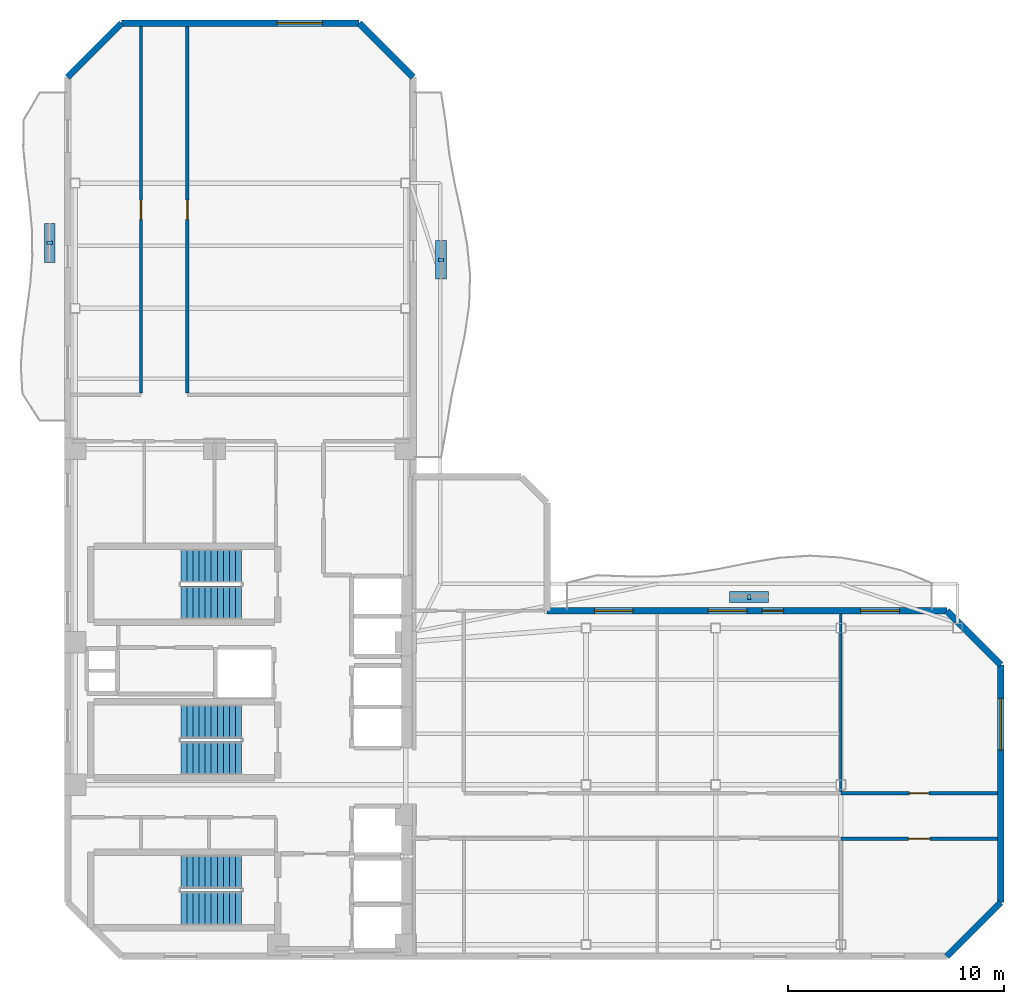
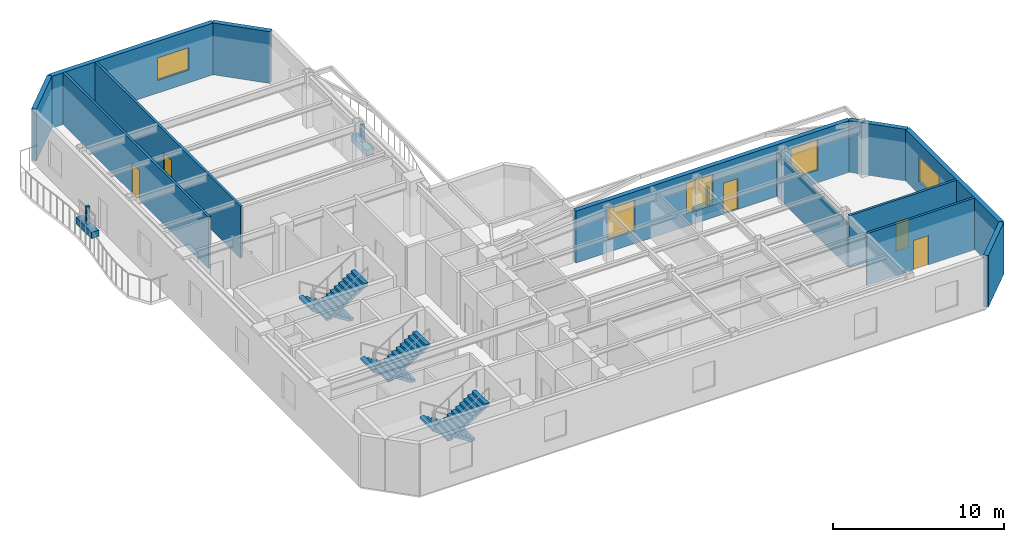
# One storey, part 5 of 8: 12 walls, 6 discrete accessories, 6 stair flights, 5 doors, 5 windows, 10 openings, 3 elements without a shape of their own.
"""IFC4 building model written with IfcOpenShell, lengths in metres."""

from ifc_helpers import new_model, si_unit, direction, frame, frame_2d, origin, origin_2d, place, context, subcontext, project, spatial, polyline, rectangle, outline, extrude, material, layer, layer_set, type_object, element, fill, aggregate, save


model = new_model("IFC4")

# Units and contexts
model_context = context("Model", 3, precision=1e-05, world=origin(), true_north=direction((0.0, 1.0)))
body_context = subcontext(model_context, "Body", "Model", "MODEL_VIEW")
ifc_project = project(units=[si_unit("LENGTHUNIT", "METRE"), si_unit("AREAUNIT", "SQUARE_METRE"), si_unit("VOLUMEUNIT", "CUBIC_METRE"), si_unit("PLANEANGLEUNIT", "RADIAN"), si_unit("MASSUNIT", "GRAM", prefix="KILO")], contexts=[model_context])

# Site, building, storey
site_placement = place(None, origin())
site = spatial("IfcSite", under=ifc_project, at=site_placement, CompositionType="ELEMENT")
building_placement = place(site_placement, origin())
building = spatial("IfcBuilding", under=site, at=building_placement, Name="Mawjaban Terraces University", CompositionType="ELEMENT")
storey_placement = place(building_placement, frame((0.0, 0.0, 218.699951171875)))
storey = spatial("IfcBuildingStorey", under=building, at=storey_placement, Name="L53", CompositionType="ELEMENT", Elevation=218.699951171875)

# Wall, opening, door
ifc_material_1 = material(Name="Fire-rated gypsum board on steel stud", Category="steel")
ifc_layer_1 = layer(ifc_material_1, 0.159912109375)
ifc_layer_set_1 = layer_set([ifc_layer_1], Name="Fire-rated gypsum board on steel stud")
wall_type_1 = type_object("IfcWallType", Name="CorridorPartition_160", PredefinedType="PARTITIONING", material=ifc_layer_set_1)
wall_1_placement = place(storey_placement, frame((57.800048828125, 5.449951171875, 0.0), z_axis=(0.0, 0.0, 1.0), x_axis=(1.0, 0.0, 0.0)))
wall_1 = element("IfcWall", 1, at=wall_1_placement, inside=storey, type_object=wall_type_1, Name="L53 South Shifted Academic Corridor Partition 21", PredefinedType="PARTITIONING", context=body_context, shape_type="SweptSolid", body=[
    extrude(rectangle(XDim=7.2548828125, YDim=0.159912109375, at=frame_2d((3.62744140625, 0.0))), origin(), (0.0, 0.0, 1.0), 3.68994140625),
])
opening_1_placement = place(wall_1_placement, frame((3.1279296875, 0.0, 0.0)))
opening_1 = element("IfcOpeningElement", 2, at=opening_1_placement, cuts=wall_1, Name="Opening ID-100", PredefinedType="OPENING", context=body_context, shape_type="SweptSolid", body=[
    extrude(rectangle(XDim=1.0, YDim=2.10009765625, at=frame_2d((0.5, 1.050048828125))), frame((0.0, 0.08984375, 0.0), z_axis=(0.0, -1.0, 0.0), x_axis=(1.0, 0.0, 0.0)), (0.0, 0.0, 1.0), 0.179931640625),
])
ifc_material_2 = material(Name="Powder-coated steel frame and solid acoustic timber leaf", Category="steel")
door_type_1 = type_object("IfcDoorType", Name="ClassroomDoor_1000x2100", OperationType="NOTDEFINED", PredefinedType="DOOR", material=ifc_material_2)
door_1_placement = place(opening_1_placement, origin())
door_1 = element("IfcDoor", 3, at=door_1_placement, inside=storey, type_object=door_type_1, Name="L53 Classroom 6 Door", OperationType="SINGLE_SWING_RIGHT", OverallHeight=2.10009765625, OverallWidth=1.0, PredefinedType="DOOR", context=body_context, shape_type="SweptSolid", body=[
    extrude(rectangle(XDim=1.0, YDim=2.10009765625, at=frame_2d((0.5, 1.050048828125))), frame((0.0, 0.02490234375, 0.0), z_axis=(0.0, -1.0, 0.0), x_axis=(1.0, 0.0, 0.0)), (0.0, 0.0, 1.0), 0.050048828125),
])
fill(opening_1, door_1)

wall_2_placement = place(storey_placement, frame((65.054931640625, 7.550048828125, 0.0), z_axis=(0.0, 0.0, 1.0), x_axis=(-1.0, 0.0, 0.0)))
wall_2 = element("IfcWall", 4, at=wall_2_placement, inside=storey, type_object=wall_type_1, Name="L53 South Shifted Academic Corridor Partition 23", PredefinedType="PARTITIONING", context=body_context, shape_type="SweptSolid", body=[
    extrude(rectangle(XDim=7.2548828125, YDim=0.159912109375, at=frame_2d((3.62744140625, 0.0))), origin(), (0.0, 0.0, 1.0), 3.68994140625),
])
opening_2_placement = place(wall_2_placement, frame((3.177978515625, 0.0, 0.0)))
opening_2 = element("IfcOpeningElement", 5, at=opening_2_placement, cuts=wall_2, Name="Opening ID-090", PredefinedType="OPENING", context=body_context, shape_type="SweptSolid", body=[
    extrude(rectangle(XDim=0.89990234375, YDim=2.10009765625, at=frame_2d((0.449951171875, 1.050048828125))), frame((0.0, 0.08984375, 0.0), z_axis=(0.0, -1.0, 0.0), x_axis=(1.0, 0.0, 0.0)), (0.0, 0.0, 1.0), 0.179931640625),
])
door_type_2 = type_object("IfcDoorType", Name="OfficeDoor_900x2100", OperationType="NOTDEFINED", PredefinedType="DOOR", material=ifc_material_2)
door_2_placement = place(opening_2_placement, origin())
door_2 = element("IfcDoor", 6, at=door_2_placement, inside=storey, type_object=door_type_2, Name="L53 Seminar Room 7 Door", OperationType="SINGLE_SWING_LEFT", OverallHeight=2.10009765625, OverallWidth=0.89990234375, PredefinedType="DOOR", context=body_context, shape_type="SweptSolid", body=[
    extrude(rectangle(XDim=0.89990234375, YDim=2.10009765625, at=frame_2d((0.449951171875, 1.050048828125))), frame((0.0, 0.02490234375, 0.0), z_axis=(0.0, -1.0, 0.0), x_axis=(1.0, 0.0, 0.0)), (0.0, 0.0, 1.0), 0.050048828125),
])
fill(opening_2, door_2)

wall_3_placement = place(storey_placement, frame((25.39990234375, 43.054931640625, 0.0), z_axis=(0.0, 0.0, 1.0), x_axis=(0.0, -1.0, 0.0)))
wall_3 = element("IfcWall", 7, at=wall_3_placement, inside=storey, type_object=wall_type_1, Name="L53 West Shifted Academic Corridor Partition 26", PredefinedType="PARTITIONING", context=body_context, shape_type="SweptSolid", body=[
    extrude(rectangle(XDim=16.97998046875, YDim=0.159912109375, at=frame_2d((8.489990234375, 0.0))), origin(), (0.0, 0.0, 1.0), 3.68994140625),
])
opening_3_placement = place(wall_3_placement, frame((8.0400390625, 0.0, 0.0)))
opening_3 = element("IfcOpeningElement", 8, at=opening_3_placement, cuts=wall_3, Name="Opening ID-090", PredefinedType="OPENING", context=body_context, shape_type="SweptSolid", body=[
    extrude(rectangle(XDim=0.89990234375, YDim=2.10009765625, at=frame_2d((0.449951171875, 1.050048828125))), frame((0.0, 0.08984375, 0.0), z_axis=(0.0, -1.0, 0.0), x_axis=(1.0, 0.0, 0.0)), (0.0, 0.0, 1.0), 0.179931640625),
])
door_3_placement = place(opening_3_placement, origin())
door_3 = element("IfcDoor", 9, at=door_3_placement, inside=storey, type_object=door_type_2, Name="L53 Collaborative Study Room 8 Door", OperationType="SINGLE_SWING_RIGHT", OverallHeight=2.10009765625, OverallWidth=0.89990234375, PredefinedType="DOOR", context=body_context, shape_type="SweptSolid", body=[
    extrude(rectangle(XDim=0.89990234375, YDim=2.10009765625, at=frame_2d((0.449951171875, 1.050048828125))), frame((0.0, 0.02490234375, 0.0), z_axis=(0.0, -1.0, 0.0), x_axis=(1.0, 0.0, 0.0)), (0.0, 0.0, 1.0), 0.050048828125),
])
fill(opening_3, door_3)

wall_4_placement = place(storey_placement, frame((27.550048828125, 26.074951171875, 0.0), z_axis=(0.0, 0.0, 1.0), x_axis=(0.0, 1.0, 0.0)))
wall_4 = element("IfcWall", 10, at=wall_4_placement, inside=storey, type_object=wall_type_1, Name="L53 West Shifted Academic Corridor Partition 28", PredefinedType="PARTITIONING", context=body_context, shape_type="SweptSolid", body=[
    extrude(rectangle(XDim=16.97998046875, YDim=0.159912109375, at=frame_2d((8.489990234375, 0.0))), origin(), (0.0, 0.0, 1.0), 3.68994140625),
])
opening_4_placement = place(wall_4_placement, frame((8.0400390625, 0.0, 0.0)))
opening_4 = element("IfcOpeningElement", 11, at=opening_4_placement, cuts=wall_4, Name="Opening ID-090", PredefinedType="OPENING", context=body_context, shape_type="SweptSolid", body=[
    extrude(rectangle(XDim=0.89990234375, YDim=2.10009765625, at=frame_2d((0.449951171875, 1.050048828125))), frame((0.0, 0.08984375, 0.0), z_axis=(0.0, -1.0, 0.0), x_axis=(1.0, 0.0, 0.0)), (0.0, 0.0, 1.0), 0.179931640625),
])
door_4_placement = place(opening_4_placement, origin())
door_4 = element("IfcDoor", 12, at=door_4_placement, inside=storey, type_object=door_type_2, Name="L53 Collaborative Study Room 9 Door", OperationType="SINGLE_SWING_LEFT", OverallHeight=2.10009765625, OverallWidth=0.89990234375, PredefinedType="DOOR", context=body_context, shape_type="SweptSolid", body=[
    extrude(rectangle(XDim=0.89990234375, YDim=2.10009765625, at=frame_2d((0.449951171875, 1.050048828125))), frame((0.0, 0.02490234375, 0.0), z_axis=(0.0, -1.0, 0.0), x_axis=(1.0, 0.0, 0.0)), (0.0, 0.0, 1.0), 0.050048828125),
])
fill(opening_4, door_4)

# Wall
ifc_material_3 = material(Name="Insulated terracotta rainscreen on concrete backup C40/50", Category="masonry")
ifc_layer_2 = layer(ifc_material_3, 0.300048828125)
ifc_layer_set_2 = layer_set([ifc_layer_2], Name="Insulated terracotta rainscreen on concrete backup C40/50")
wall_type_2 = type_object("IfcWallType", Name="ExtTerracottaWall_300", PredefinedType="SOLIDWALL", material=ifc_layer_set_2)
wall_5_placement = place(storey_placement, frame((62.699951171875, 0.0, 0.0), z_axis=(0.0, 0.0, 1.0), x_axis=(0.707106781187, 0.707106781187, 0.0)))
element("IfcWall", 13, at=wall_5_placement, inside=storey, type_object=wall_type_2, Name="L53 Exterior Terracotta Wall 2", PredefinedType="SOLIDWALL", context=body_context, shape_type="SweptSolid", body=[
    extrude(rectangle(XDim=3.53564453125, YDim=0.300048828125, at=frame_2d((1.767822265625, 0.0))), origin(), (0.0, 0.0, 1.0), 3.68994140625),
])

# Wall, opening, window
wall_6_placement = place(storey_placement, frame((65.199951171875, 2.5, 0.0), z_axis=(0.0, 0.0, 1.0), x_axis=(0.0, 1.0, 0.0)))
wall_6 = element("IfcWall", 14, at=wall_6_placement, inside=storey, type_object=wall_type_2, Name="L53 Exterior Terracotta Wall 3", PredefinedType="SOLIDWALL", context=body_context, shape_type="SweptSolid", body=[
    extrude(rectangle(XDim=11.0, YDim=0.300048828125, at=frame_2d((5.5, 0.0))), origin(), (0.0, 0.0, 1.0), 3.68994140625),
])
opening_5_placement = place(wall_6_placement, frame((7.050048828125, 0.0, 0.89990234375)))
opening_5 = element("IfcOpeningElement", 15, at=opening_5_placement, cuts=wall_6, Name="Opening W-08", PredefinedType="OPENING", context=body_context, shape_type="SweptSolid", body=[
    extrude(rectangle(XDim=2.39990234375, YDim=1.800048828125, at=frame_2d((1.199951171875, 0.89990234375))), frame((0.0, 0.159912109375, 0.0), z_axis=(0.0, -1.0, 0.0), x_axis=(1.0, 0.0, 0.0)), (0.0, 0.0, 1.0), 0.320068359375),
])
ifc_material_4 = material(Name="Low-E solar-control double glazing in thermally broken aluminium frame", Category="aluminium")
window_type_1 = type_object("IfcWindowType", Name="Win_2400x1800", PartitioningType="SINGLE_PANEL", PredefinedType="WINDOW", material=ifc_material_4)
window_1_placement = place(opening_5_placement, origin())
window_1 = element("IfcWindow", 16, at=window_1_placement, inside=storey, type_object=window_type_1, Name="L53 Facade Window 3.2", OverallHeight=1.800048828125, OverallWidth=2.39990234375, PartitioningType="SINGLE_PANEL", PredefinedType="WINDOW", context=body_context, shape_type="SweptSolid", body=[
    extrude(rectangle(XDim=2.39990234375, YDim=1.800048828125, at=frame_2d((1.199951171875, 0.89990234375))), frame((0.0, 0.030029296875, 0.0), z_axis=(0.0, -1.0, 0.0), x_axis=(1.0, 0.0, 0.0)), (0.0, 0.0, 1.0), 0.06005859375),
])
fill(opening_5, window_1)

# Wall
wall_7_placement = place(storey_placement, frame((65.199951171875, 13.5, 0.0), z_axis=(0.0, 0.0, 1.0), x_axis=(-0.707106781187, 0.707106781187, 0.0)))
element("IfcWall", 17, at=wall_7_placement, inside=storey, type_object=wall_type_2, Name="L53 Exterior Terracotta Wall 4", PredefinedType="SOLIDWALL", context=body_context, shape_type="SweptSolid", body=[
    extrude(rectangle(XDim=3.53564453125, YDim=0.300048828125, at=frame_2d((1.767822265625, 0.0))), origin(), (0.0, 0.0, 1.0), 3.68994140625),
])

# Wall, openings, door, windows
wall_8_placement = place(storey_placement, frame((62.699951171875, 16.0, 0.0), z_axis=(0.0, 0.0, 1.0), x_axis=(-1.0, 0.0, 0.0)))
wall_8 = element("IfcWall", 18, at=wall_8_placement, inside=storey, type_object=wall_type_2, Name="L53 Exterior Terracotta Wall 5", PredefinedType="SOLIDWALL", context=body_context, shape_type="SweptSolid", body=[
    extrude(rectangle(XDim=18.5, YDim=0.300048828125, at=frame_2d((9.25, 0.0))), origin(), (0.0, 0.0, 1.0), 3.68994140625),
])
opening_6_placement = place(wall_8_placement, frame((7.550048828125, 0.0, 0.0)))
opening_6 = element("IfcOpeningElement", 19, at=opening_6_placement, cuts=wall_8, Name="Opening BD-100", PredefinedType="OPENING", context=body_context, shape_type="SweptSolid", body=[
    extrude(rectangle(XDim=1.0, YDim=2.199951171875, at=frame_2d((0.5, 1.10009765625))), frame((0.0, 0.159912109375, 0.0), z_axis=(0.0, -1.0, 0.0), x_axis=(1.0, 0.0, 0.0)), (0.0, 0.0, 1.0), 0.320068359375),
])
opening_7_placement = place(wall_8_placement, frame((2.18310546875, 0.0, 0.89990234375)))
opening_7 = element("IfcOpeningElement", 20, at=opening_7_placement, cuts=wall_8, Name="Opening W-10", PredefinedType="OPENING", context=body_context, shape_type="SweptSolid", body=[
    extrude(rectangle(XDim=1.800048828125, YDim=2.199951171875, at=frame_2d((0.89990234375, 1.10009765625))), frame((0.0, 0.159912109375, 0.0), z_axis=(0.0, -1.0, 0.0), x_axis=(1.0, 0.0, 0.0)), (0.0, 0.0, 1.0), 0.320068359375),
])
opening_8_placement = place(wall_8_placement, frame((9.25, 0.0, 0.89990234375)))
opening_8 = element("IfcOpeningElement", 21, at=opening_8_placement, cuts=wall_8, Name="Opening W-10", PredefinedType="OPENING", context=body_context, shape_type="SweptSolid", body=[
    extrude(rectangle(XDim=1.800048828125, YDim=2.199951171875, at=frame_2d((0.89990234375, 1.10009765625))), frame((0.0, 0.159912109375, 0.0), z_axis=(0.0, -1.0, 0.0), x_axis=(1.0, 0.0, 0.0)), (0.0, 0.0, 1.0), 0.320068359375),
])
opening_9_placement = place(wall_8_placement, frame((14.51708984375, 0.0, 0.89990234375)))
opening_9 = element("IfcOpeningElement", 22, at=opening_9_placement, cuts=wall_8, Name="Opening W-10", PredefinedType="OPENING", context=body_context, shape_type="SweptSolid", body=[
    extrude(rectangle(XDim=1.800048828125, YDim=2.199951171875, at=frame_2d((0.89990234375, 1.10009765625))), frame((0.0, 0.159912109375, 0.0), z_axis=(0.0, -1.0, 0.0), x_axis=(1.0, 0.0, 0.0)), (0.0, 0.0, 1.0), 0.320068359375),
])
ifc_material_5 = material(Name="Thermally broken anodised aluminium and laminated safety glass", Category="aluminium")
door_type_3 = type_object("IfcDoorType", Name="BalconyGlazedDoor_1000x2200", OperationType="NOTDEFINED", PredefinedType="DOOR", material=ifc_material_5)
door_5_placement = place(opening_6_placement, origin())
door_5 = element("IfcDoor", 23, at=door_5_placement, inside=storey, type_object=door_type_3, Name="L53 Balcony Access Door inner_north", OperationType="SINGLE_SWING_RIGHT", OverallHeight=2.199951171875, OverallWidth=1.0, PredefinedType="DOOR", context=body_context, shape_type="SweptSolid", body=[
    extrude(rectangle(XDim=1.0, YDim=2.199951171875, at=frame_2d((0.5, 1.10009765625))), frame((0.0, 0.02490234375, 0.0), z_axis=(0.0, -1.0, 0.0), x_axis=(1.0, 0.0, 0.0)), (0.0, 0.0, 1.0), 0.050048828125),
])
fill(opening_6, door_5)
window_type_2 = type_object("IfcWindowType", Name="Win_1800x2200", PartitioningType="SINGLE_PANEL", PredefinedType="WINDOW", material=ifc_material_4)
window_2_placement = place(opening_7_placement, origin())
window_2 = element("IfcWindow", 24, at=window_2_placement, inside=storey, type_object=window_type_2, Name="L53 Facade Window 5.1", OverallHeight=2.199951171875, OverallWidth=1.800048828125, PartitioningType="SINGLE_PANEL", PredefinedType="WINDOW", context=body_context, shape_type="SweptSolid", body=[
    extrude(rectangle(XDim=1.800048828125, YDim=2.199951171875, at=frame_2d((0.89990234375, 1.10009765625))), frame((0.0, 0.030029296875, 0.0), z_axis=(0.0, -1.0, 0.0), x_axis=(1.0, 0.0, 0.0)), (0.0, 0.0, 1.0), 0.06005859375),
])
fill(opening_7, window_2)
window_3_placement = place(opening_8_placement, origin())
window_3 = element("IfcWindow", 25, at=window_3_placement, inside=storey, type_object=window_type_2, Name="L53 Facade Window 5.2", OverallHeight=2.199951171875, OverallWidth=1.800048828125, PartitioningType="SINGLE_PANEL", PredefinedType="WINDOW", context=body_context, shape_type="SweptSolid", body=[
    extrude(rectangle(XDim=1.800048828125, YDim=2.199951171875, at=frame_2d((0.89990234375, 1.10009765625))), frame((0.0, 0.030029296875, 0.0), z_axis=(0.0, -1.0, 0.0), x_axis=(1.0, 0.0, 0.0)), (0.0, 0.0, 1.0), 0.06005859375),
])
fill(opening_8, window_3)
window_4_placement = place(opening_9_placement, origin())
window_4 = element("IfcWindow", 26, at=window_4_placement, inside=storey, type_object=window_type_2, Name="L53 Facade Window 5.3", OverallHeight=2.199951171875, OverallWidth=1.800048828125, PartitioningType="SINGLE_PANEL", PredefinedType="WINDOW", context=body_context, shape_type="SweptSolid", body=[
    extrude(rectangle(XDim=1.800048828125, YDim=2.199951171875, at=frame_2d((0.89990234375, 1.10009765625))), frame((0.0, 0.030029296875, 0.0), z_axis=(0.0, -1.0, 0.0), x_axis=(1.0, 0.0, 0.0)), (0.0, 0.0, 1.0), 0.06005859375),
])
fill(opening_9, window_4)

# Wall
wall_9_placement = place(storey_placement, frame((38.0, 40.699951171875, 0.0), z_axis=(0.0, 0.0, 1.0), x_axis=(-0.707106781187, 0.707106781187, 0.0)))
element("IfcWall", 27, at=wall_9_placement, inside=storey, type_object=wall_type_2, Name="L53 Exterior Terracotta Wall 10", PredefinedType="SOLIDWALL", context=body_context, shape_type="SweptSolid", body=[
    extrude(rectangle(XDim=3.53564453125, YDim=0.300048828125, at=frame_2d((1.767822265625, 0.0))), origin(), (0.0, 0.0, 1.0), 3.68994140625),
])

# Wall, opening, window
wall_10_placement = place(storey_placement, frame((35.5, 43.199951171875, 0.0), z_axis=(0.0, 0.0, 1.0), x_axis=(-1.0, 0.0, 0.0)))
wall_10 = element("IfcWall", 28, at=wall_10_placement, inside=storey, type_object=wall_type_2, Name="L53 Exterior Terracotta Wall 11", PredefinedType="SOLIDWALL", context=body_context, shape_type="SweptSolid", body=[
    extrude(rectangle(XDim=11.0, YDim=0.300048828125, at=frame_2d((5.5, 0.0))), origin(), (0.0, 0.0, 1.0), 3.68994140625),
])
opening_10_placement = place(wall_10_placement, frame((1.699951171875, 0.0, 0.89990234375)))
opening_10 = element("IfcOpeningElement", 29, at=opening_10_placement, cuts=wall_10, Name="Opening W-04", PredefinedType="OPENING", context=body_context, shape_type="SweptSolid", body=[
    extrude(rectangle(XDim=2.10009765625, YDim=1.60009765625, at=frame_2d((1.050048828125, 0.800048828125))), frame((0.0, 0.159912109375, 0.0), z_axis=(0.0, -1.0, 0.0), x_axis=(1.0, 0.0, 0.0)), (0.0, 0.0, 1.0), 0.320068359375),
])
window_type_3 = type_object("IfcWindowType", Name="Win_2100x1600", PartitioningType="SINGLE_PANEL", PredefinedType="WINDOW", material=ifc_material_4)
window_5_placement = place(opening_10_placement, origin())
window_5 = element("IfcWindow", 30, at=window_5_placement, inside=storey, type_object=window_type_3, Name="L53 Facade Window 11.1", OverallHeight=1.60009765625, OverallWidth=2.10009765625, PartitioningType="SINGLE_PANEL", PredefinedType="WINDOW", context=body_context, shape_type="SweptSolid", body=[
    extrude(rectangle(XDim=2.10009765625, YDim=1.60009765625, at=frame_2d((1.050048828125, 0.800048828125))), frame((0.0, 0.030029296875, 0.0), z_axis=(0.0, -1.0, 0.0), x_axis=(1.0, 0.0, 0.0)), (0.0, 0.0, 1.0), 0.06005859375),
])
fill(opening_10, window_5)

# Walls
wall_11_placement = place(storey_placement, frame((24.5, 43.199951171875, 0.0), z_axis=(0.0, 0.0, 1.0), x_axis=(-0.707106781187, -0.707106781187, 0.0)))
element("IfcWall", 31, at=wall_11_placement, inside=storey, type_object=wall_type_2, Name="L53 Exterior Terracotta Wall 12", PredefinedType="SOLIDWALL", context=body_context, shape_type="SweptSolid", body=[
    extrude(rectangle(XDim=3.53564453125, YDim=0.300048828125, at=frame_2d((1.767822265625, 0.0))), origin(), (0.0, 0.0, 1.0), 3.68994140625),
])
ifc_material_6 = material(Name="Acoustic operable panel partition", Category="masonry")
ifc_layer_3 = layer(ifc_material_6, 0.110107421875)
ifc_layer_set_3 = layer_set([ifc_layer_3], Name="Acoustic operable panel partition")
wall_type_3 = type_object("IfcWallType", Name="OperableSeminarWall_110", PredefinedType="MOVABLE", material=ifc_layer_set_3)
wall_12_placement = place(storey_placement, frame((57.800048828125, 7.625, 0.0), z_axis=(0.0, 0.0, 1.0), x_axis=(0.0, 1.0, 0.0)))
element("IfcWall", 32, at=wall_12_placement, inside=storey, type_object=wall_type_3, Name="L53 Collaborative Study Room 5 Partition 44", PredefinedType="MOVABLE", context=body_context, shape_type="SweptSolid", body=[
    extrude(rectangle(XDim=8.22998046875, YDim=0.110107421875, at=frame_2d((4.114990234375, 0.0))), origin(), (0.0, 0.0, 1.0), 3.14599609375),
])

# Stair, stair flights
ifc_material_7 = material(Name="Concrete C40/50", Category="concrete")
stair_type = type_object("IfcStairType", Name="Stair_Core1550_H39", PredefinedType="HALF_TURN_STAIR", material=ifc_material_7)
stair_1_placement = place(storey_placement, origin())
stair_1 = element("IfcStair", 33, at=stair_1_placement, inside=storey, type_object=stair_type, Name="L53 Core Exit Stair 1", PredefinedType="HALF_TURN_STAIR")
stair_flight_type = type_object("IfcStairFlightType", Name="Flight_Core1550_H39", PredefinedType="STRAIGHT", material=ifc_material_7)
stair_flight_1_placement = place(storey_placement, frame((30.050048828125, 3.925048828125, 0.0), z_axis=(0.0, 0.0, 1.0), x_axis=(-1.0, 0.0, 0.0)))
stair_flight_1 = element("IfcStairFlight", 34, at=stair_flight_1_placement, type_object=stair_flight_type, Name="ST-1 flight 1", NumberOfRisers=11, NumberOfTreads=10, PredefinedType="STRAIGHT", RiserHeight=0.177272727, TreadLength=0.28, context=body_context, shape_type="SweptSolid", body=[
    extrude(outline(polyline([(0.0, 0.0), (0.0, 0.17724609375), (0.280029296875, 0.17724609375), (0.280029296875, 0.3544921875), (0.56005859375, 0.3544921875), (0.56005859375, 0.53173828125), (0.840087890625, 0.53173828125), (0.840087890625, 0.708984375), (1.1201171875, 0.708984375), (1.1201171875, 0.886474609375), (1.39990234375, 0.886474609375), (1.39990234375, 1.063720703125), (1.679931640625, 1.063720703125), (1.679931640625, 1.240966796875), (1.9599609375, 1.240966796875), (1.9599609375, 1.418212890625), (2.239990234375, 1.418212890625), (2.239990234375, 1.595458984375), (2.52001953125, 1.595458984375), (2.52001953125, 1.772705078125), (2.800048828125, 1.772705078125), (2.800048828125, 1.949951171875), (2.800048828125, 1.59521484375), (0.2802734375, 0.0), (0.0, 0.0)])), frame((0.0, 0.77490234375, 0.0), z_axis=(0.0, -1.0, 0.0), x_axis=(1.0, 0.0, 0.0)), (0.0, 0.0, 1.0), 1.550048828125),
])
stair_flight_2_placement = place(storey_placement, frame((27.25, 2.22509765625, 1.949951171875), z_axis=(0.0, 0.0, 1.0), x_axis=(1.0, 0.0, 0.0)))
stair_flight_2 = element("IfcStairFlight", 35, at=stair_flight_2_placement, type_object=stair_flight_type, Name="ST-1 flight 2", NumberOfRisers=11, NumberOfTreads=10, PredefinedType="STRAIGHT", RiserHeight=0.177272727, TreadLength=0.28, context=body_context, shape_type="SweptSolid", body=[
    extrude(outline(polyline([(0.0, 0.0), (0.0, 0.17724609375), (0.280029296875, 0.17724609375), (0.280029296875, 0.3544921875), (0.56005859375, 0.3544921875), (0.56005859375, 0.53173828125), (0.840087890625, 0.53173828125), (0.840087890625, 0.708984375), (1.1201171875, 0.708984375), (1.1201171875, 0.886474609375), (1.39990234375, 0.886474609375), (1.39990234375, 1.063720703125), (1.679931640625, 1.063720703125), (1.679931640625, 1.240966796875), (1.9599609375, 1.240966796875), (1.9599609375, 1.418212890625), (2.239990234375, 1.418212890625), (2.239990234375, 1.595458984375), (2.52001953125, 1.595458984375), (2.52001953125, 1.772705078125), (2.800048828125, 1.772705078125), (2.800048828125, 1.949951171875), (2.800048828125, 1.59521484375), (0.2802734375, 0.0), (0.0, 0.0)])), frame((0.0, 0.77490234375, 0.0), z_axis=(0.0, -1.0, 0.0), x_axis=(1.0, 0.0, 0.0)), (0.0, 0.0, 1.0), 1.550048828125),
])
aggregate(stair_1, [stair_flight_1, stair_flight_2])

stair_2_placement = place(storey_placement, origin())
stair_2 = element("IfcStair", 36, at=stair_2_placement, inside=storey, type_object=stair_type, Name="L53 Core Exit Stair 2", PredefinedType="HALF_TURN_STAIR")
stair_flight_3_placement = place(storey_placement, frame((30.050048828125, 18.074951171875, 0.0), z_axis=(0.0, 0.0, 1.0), x_axis=(-1.0, 0.0, 0.0)))
stair_flight_3 = element("IfcStairFlight", 37, at=stair_flight_3_placement, type_object=stair_flight_type, Name="ST-2 flight 1", NumberOfRisers=11, NumberOfTreads=10, PredefinedType="STRAIGHT", RiserHeight=0.177272727, TreadLength=0.28, context=body_context, shape_type="SweptSolid", body=[
    extrude(outline(polyline([(0.0, 0.0), (0.0, 0.17724609375), (0.280029296875, 0.17724609375), (0.280029296875, 0.3544921875), (0.56005859375, 0.3544921875), (0.56005859375, 0.53173828125), (0.840087890625, 0.53173828125), (0.840087890625, 0.708984375), (1.1201171875, 0.708984375), (1.1201171875, 0.886474609375), (1.39990234375, 0.886474609375), (1.39990234375, 1.063720703125), (1.679931640625, 1.063720703125), (1.679931640625, 1.240966796875), (1.9599609375, 1.240966796875), (1.9599609375, 1.418212890625), (2.239990234375, 1.418212890625), (2.239990234375, 1.595458984375), (2.52001953125, 1.595458984375), (2.52001953125, 1.772705078125), (2.800048828125, 1.772705078125), (2.800048828125, 1.949951171875), (2.800048828125, 1.59521484375), (0.2802734375, 0.0), (0.0, 0.0)])), frame((0.0, 0.77490234375, 0.0), z_axis=(0.0, -1.0, 0.0), x_axis=(1.0, 0.0, 0.0)), (0.0, 0.0, 1.0), 1.550048828125),
])
stair_flight_4_placement = place(storey_placement, frame((27.25, 16.375, 1.949951171875), z_axis=(0.0, 0.0, 1.0), x_axis=(1.0, 0.0, 0.0)))
stair_flight_4 = element("IfcStairFlight", 38, at=stair_flight_4_placement, type_object=stair_flight_type, Name="ST-2 flight 2", NumberOfRisers=11, NumberOfTreads=10, PredefinedType="STRAIGHT", RiserHeight=0.177272727, TreadLength=0.28, context=body_context, shape_type="SweptSolid", body=[
    extrude(outline(polyline([(0.0, 0.0), (0.0, 0.17724609375), (0.280029296875, 0.17724609375), (0.280029296875, 0.3544921875), (0.56005859375, 0.3544921875), (0.56005859375, 0.53173828125), (0.840087890625, 0.53173828125), (0.840087890625, 0.708984375), (1.1201171875, 0.708984375), (1.1201171875, 0.886474609375), (1.39990234375, 0.886474609375), (1.39990234375, 1.063720703125), (1.679931640625, 1.063720703125), (1.679931640625, 1.240966796875), (1.9599609375, 1.240966796875), (1.9599609375, 1.418212890625), (2.239990234375, 1.418212890625), (2.239990234375, 1.595458984375), (2.52001953125, 1.595458984375), (2.52001953125, 1.772705078125), (2.800048828125, 1.772705078125), (2.800048828125, 1.949951171875), (2.800048828125, 1.59521484375), (0.2802734375, 0.0), (0.0, 0.0)])), frame((0.0, 0.77490234375, 0.0), z_axis=(0.0, -1.0, 0.0), x_axis=(1.0, 0.0, 0.0)), (0.0, 0.0, 1.0), 1.550048828125),
])
aggregate(stair_2, [stair_flight_3, stair_flight_4])

stair_3_placement = place(storey_placement, origin())
stair_3 = element("IfcStair", 39, at=stair_3_placement, inside=storey, type_object=stair_type, Name="L53 Core Exit Stair 3", PredefinedType="HALF_TURN_STAIR")
stair_flight_5_placement = place(storey_placement, frame((30.050048828125, 10.875, 0.0), z_axis=(0.0, 0.0, 1.0), x_axis=(-1.0, 0.0, 0.0)))
stair_flight_5 = element("IfcStairFlight", 40, at=stair_flight_5_placement, type_object=stair_flight_type, Name="ST-3 flight 1", NumberOfRisers=11, NumberOfTreads=10, PredefinedType="STRAIGHT", RiserHeight=0.177272727, TreadLength=0.28, context=body_context, shape_type="SweptSolid", body=[
    extrude(outline(polyline([(0.0, 0.0), (0.0, 0.17724609375), (0.280029296875, 0.17724609375), (0.280029296875, 0.3544921875), (0.56005859375, 0.3544921875), (0.56005859375, 0.53173828125), (0.840087890625, 0.53173828125), (0.840087890625, 0.708984375), (1.1201171875, 0.708984375), (1.1201171875, 0.886474609375), (1.39990234375, 0.886474609375), (1.39990234375, 1.063720703125), (1.679931640625, 1.063720703125), (1.679931640625, 1.240966796875), (1.9599609375, 1.240966796875), (1.9599609375, 1.418212890625), (2.239990234375, 1.418212890625), (2.239990234375, 1.595458984375), (2.52001953125, 1.595458984375), (2.52001953125, 1.772705078125), (2.800048828125, 1.772705078125), (2.800048828125, 1.949951171875), (2.800048828125, 1.59521484375), (0.2802734375, 0.0), (0.0, 0.0)])), frame((0.0, 0.77490234375, 0.0), z_axis=(0.0, -1.0, 0.0), x_axis=(1.0, 0.0, 0.0)), (0.0, 0.0, 1.0), 1.550048828125),
])
stair_flight_6_placement = place(storey_placement, frame((27.25, 9.175048828125, 1.949951171875), z_axis=(0.0, 0.0, 1.0), x_axis=(1.0, 0.0, 0.0)))
stair_flight_6 = element("IfcStairFlight", 41, at=stair_flight_6_placement, type_object=stair_flight_type, Name="ST-3 flight 2", NumberOfRisers=11, NumberOfTreads=10, PredefinedType="STRAIGHT", RiserHeight=0.177272727, TreadLength=0.28, context=body_context, shape_type="SweptSolid", body=[
    extrude(outline(polyline([(0.0, 0.0), (0.0, 0.17724609375), (0.280029296875, 0.17724609375), (0.280029296875, 0.3544921875), (0.56005859375, 0.3544921875), (0.56005859375, 0.53173828125), (0.840087890625, 0.53173828125), (0.840087890625, 0.708984375), (1.1201171875, 0.708984375), (1.1201171875, 0.886474609375), (1.39990234375, 0.886474609375), (1.39990234375, 1.063720703125), (1.679931640625, 1.063720703125), (1.679931640625, 1.240966796875), (1.9599609375, 1.240966796875), (1.9599609375, 1.418212890625), (2.239990234375, 1.418212890625), (2.239990234375, 1.595458984375), (2.52001953125, 1.595458984375), (2.52001953125, 1.772705078125), (2.800048828125, 1.772705078125), (2.800048828125, 1.949951171875), (2.800048828125, 1.59521484375), (0.2802734375, 0.0), (0.0, 0.0)])), frame((0.0, 0.77490234375, 0.0), z_axis=(0.0, -1.0, 0.0), x_axis=(1.0, 0.0, 0.0)), (0.0, 0.0, 1.0), 1.550048828125),
])
aggregate(stair_3, [stair_flight_5, stair_flight_6])

# Discrete accessories
ifc_material_8 = material(Name="Stainless steel 316L", Category="steel")
discrete_accessory_type_1 = type_object("IfcDiscreteAccessoryType", Name="FacadeScreenBracket_Steel", PredefinedType="BRACKET", material=ifc_material_8)
for number, where, z_axis, x_axis, name in (
    (42, (21.177978515625, 33.033935546875, 0.419921875), (0.0, 0.0, 1.0), (0.0, 1.0, 0.0), "L53 Balcony Screen Support Bracket west"),
    (43, (53.550048828125, 16.64501953125, 0.419921875), (0.0, 0.0, 1.0), (1.0, 0.0, 0.0), "L53 Balcony Screen Support Bracket inner_north"),
    (44, (39.281982421875, 32.25390625, 0.419921875), (0.0, 0.0, 1.0), (0.0, 1.0, 0.0), "L53 Balcony Screen Support Bracket inner_east"),
):
    element("IfcDiscreteAccessory", number, at=place(storey_placement, frame(where, z_axis=z_axis, x_axis=x_axis)), inside=storey, type_object=discrete_accessory_type_1, Name=name, PredefinedType="BRACKET", context=body_context, shape_type="SweptSolid", body=[
        extrude(rectangle(XDim=0.159912109375, YDim=0.239990234375, at=origin_2d()), origin(), (0.0, 0.0, 1.0), 1.300048828125),
    ])
ifc_material_9 = material(Name="Precast architectural terracotta planter with engineered planting soil", Category="masonry")
discrete_accessory_type_2 = type_object("IfcDiscreteAccessoryType", Name="IrrigatedPlanterTrough_450", PredefinedType="USERDEFINED", material=ifc_material_9)
for number, where, z_axis, x_axis, name in (
    (45, (21.177978515625, 33.033935546875, -0.0048828125), (0.0, 0.0, 1.0), (0.0, 1.0, 0.0), "L53 Balcony Irrigated Planter west"),
    (46, (53.550048828125, 16.64501953125, -0.0048828125), (0.0, 0.0, 1.0), (1.0, 0.0, 0.0), "L53 Balcony Irrigated Planter inner_north"),
    (47, (39.281982421875, 32.25390625, -0.0048828125), (0.0, 0.0, 1.0), (0.0, 1.0, 0.0), "L53 Balcony Irrigated Planter inner_east"),
):
    element("IfcDiscreteAccessory", number, at=place(storey_placement, frame(where, z_axis=z_axis, x_axis=x_axis)), inside=storey, type_object=discrete_accessory_type_2, Name=name, ObjectType="PLANTER", PredefinedType="USERDEFINED", context=body_context, shape_type="SweptSolid", body=[
        extrude(rectangle(XDim=1.800048828125, YDim=0.5, at=origin_2d()), origin(), (0.0, 0.0, 1.0), 0.449951171875),
    ])

save(model, "model.ifc")
